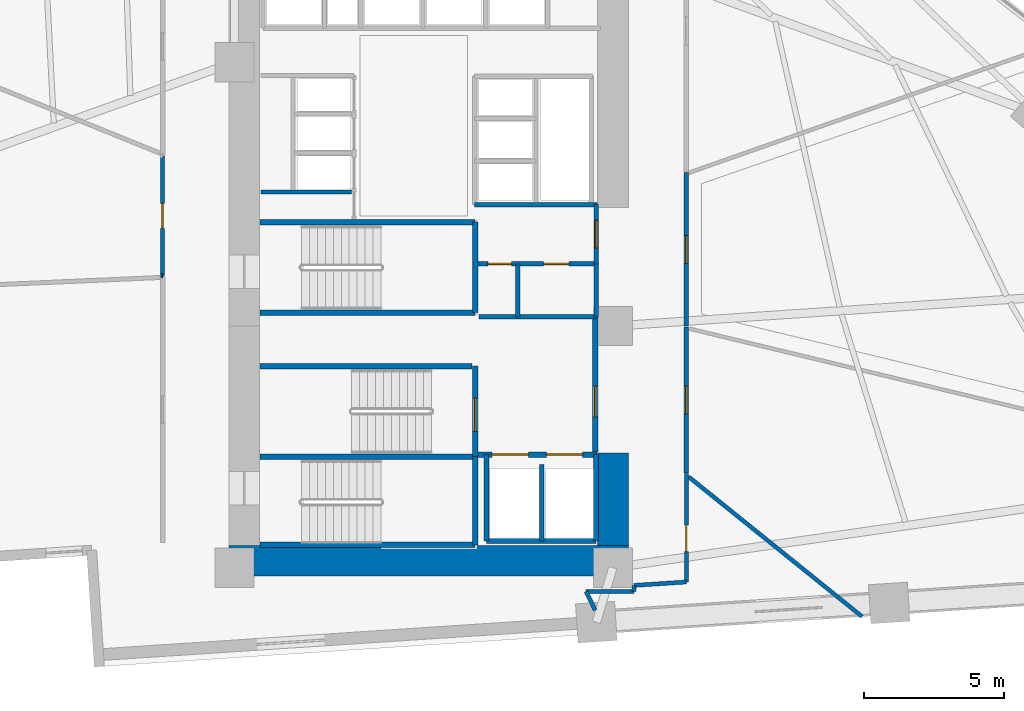
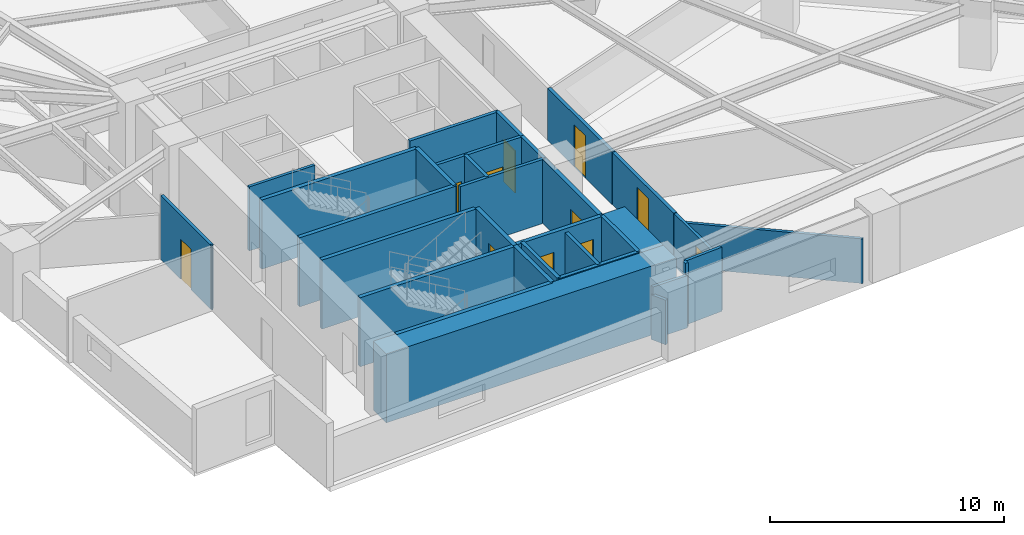
# One storey, part 12 of 16: 33 walls, 11 doors, 11 openings.
"""IFC4 building model written with IfcOpenShell, lengths in metres."""

from ifc_helpers import new_model, si_unit, direction, frame, frame_2d, origin, place, context, subcontext, project, spatial, rectangle, extrude, material, layer, layer_set, type_object, element, fill, save


model = new_model("IFC4")

# Units and contexts
model_context = context("Model", 3, precision=1e-05, world=origin(), true_north=direction((0.0, 1.0)))
body_context = subcontext(model_context, "Body", "Model", "MODEL_VIEW")
ifc_project = project(units=[si_unit("LENGTHUNIT", "METRE"), si_unit("AREAUNIT", "SQUARE_METRE"), si_unit("VOLUMEUNIT", "CUBIC_METRE"), si_unit("PLANEANGLEUNIT", "RADIAN"), si_unit("MASSUNIT", "GRAM", prefix="KILO")], contexts=[model_context])

# Site, building, storey
site_placement = place(None, origin())
site = spatial("IfcSite", under=ifc_project, at=site_placement, CompositionType="ELEMENT")
building_placement = place(site_placement, origin())
building = spatial("IfcBuilding", under=site, at=building_placement, Name="Narakoshi Arena Tower", CompositionType="ELEMENT")
storey_placement = place(building_placement, frame((0.0, 0.0, 84.89990234375)))
storey = spatial("IfcBuildingStorey", under=building, at=storey_placement, Name="L22", CompositionType="ELEMENT", Elevation=84.89990234375)

# Walls
ifc_material_1 = material(Name="Concrete C60/75", Category="concrete")
ifc_layer_1 = layer(ifc_material_1, 1.10009765625)
ifc_layer_set_1 = layer_set([ifc_layer_1], Name="Concrete C60/75")
wall_type_1 = type_object("IfcWallType", Name="WL-CORE-1100", PredefinedType="SHEAR", material=ifc_layer_set_1)
wall_1_placement = place(storey_placement, frame((71.800048828125, 34.949951171875, -0.260009765625), z_axis=(0.0, 0.0, 1.0), x_axis=(1.0, 0.0, 0.0)))
element("IfcWall", 1, at=wall_1_placement, inside=storey, type_object=wall_type_1, Name="L22 Central Core Shear Wall CW-APX-S", PredefinedType="SHEAR", context=body_context, shape_type="SweptSolid", body=[
    extrude(rectangle(XDim=14.300048828125, YDim=1.10009765625, at=frame_2d((7.14990234375, 0.0))), origin(), (0.0, 0.0, 1.0), 3.60009765625),
])
wall_2_placement = place(storey_placement, frame((85.550048828125, 35.5, -0.260009765625), z_axis=(0.0, 0.0, 1.0), x_axis=(0.0, 1.0, 0.0)))
element("IfcWall", 2, at=wall_2_placement, inside=storey, type_object=wall_type_1, Name="L22 Central Core Shear Wall CW-APX-E", PredefinedType="SHEAR", context=body_context, shape_type="SweptSolid", body=[
    extrude(rectangle(XDim=3.300048828125, YDim=1.10009765625, at=frame_2d((1.64990234375, 0.0))), origin(), (0.0, 0.0, 1.0), 3.60009765625),
])

# Wall, opening, door
ifc_material_2 = material(Name="Gypsum plasterboard fire-rated partition")
ifc_layer_2 = layer(ifc_material_2, 0.1650390625)
ifc_layer_set_2 = layer_set([ifc_layer_2], Name="Gypsum plasterboard fire-rated partition")
wall_type_2 = type_object("IfcWallType", Name="WL-CORR-165", PredefinedType="PARTITIONING", material=ifc_layer_set_2)
wall_3_placement = place(storey_placement, frame((84.949951171875, 45.580078125, 0.0), z_axis=(0.0, 0.0, 1.0), x_axis=(0.0, 1.0, 0.0)))
wall_3 = element("IfcWall", 3, at=wall_3_placement, inside=storey, type_object=wall_type_2, Name="L22 Core Wall CPAS-E", PredefinedType="PARTITIONING", context=body_context, shape_type="SweptSolid", body=[
    extrude(rectangle(XDim=2.119873046875, YDim=0.1650390625, at=frame_2d((1.06005859375, 0.0))), origin(), (0.0, 0.0, 1.0), 3.340087890625),
])
opening_1_placement = place(wall_3_placement, frame((0.56005859375, 0.0, 0.0)))
opening_1 = element("IfcOpeningElement", 4, at=opening_1_placement, cuts=wall_3, Name="Opening D-06", PredefinedType="OPENING", context=body_context, shape_type="SweptSolid", body=[
    extrude(rectangle(XDim=1.0, YDim=2.199951171875, at=frame_2d((0.5, 1.10009765625))), frame((0.0, 0.092529296875, 0.0), z_axis=(0.0, -1.0, 0.0), x_axis=(1.0, 0.0, 0.0)), (0.0, 0.0, 1.0), 0.18505859375),
])
ifc_material_3 = material(Name="Stained oak solid-core timber", Category="wood")
door_type_1 = type_object("IfcDoorType", Name="DR-OFF-1000", OperationType="NOTDEFINED", PredefinedType="DOOR", material=ifc_material_3)
door_1_placement = place(opening_1_placement, frame((1.0, 0.0, 0.0), z_axis=(0.0, 0.0, 1.0), x_axis=(-1.0, 0.0, 0.0)))
door_1 = element("IfcDoor", 5, at=door_1_placement, inside=storey, type_object=door_type_1, Name="DR-L22-007", OperationType="SINGLE_SWING_LEFT", OverallHeight=2.199951171875, OverallWidth=1.0, PredefinedType="DOOR", context=body_context, shape_type="SweptSolid", body=[
    extrude(rectangle(XDim=1.0, YDim=2.199951171875, at=frame_2d((0.5, 1.10009765625))), frame((0.0, 0.02490234375, 0.0), z_axis=(0.0, -1.0, 0.0), x_axis=(1.0, 0.0, 0.0)), (0.0, 0.0, 1.0), 0.050048828125),
])
fill(opening_1, door_1)

wall_4_placement = place(storey_placement, frame((88.177978515625, 38.100830078125, 0.0), z_axis=(0.0, 0.0, 1.0), x_axis=(0.0, 1.0, 0.0)))
wall_4 = element("IfcWall", 6, at=wall_4_placement, inside=storey, type_object=wall_type_2, Name="L22 Corridor Partition 03-1", PredefinedType="PARTITIONING", context=body_context, shape_type="SweptSolid", body=[
    extrude(rectangle(XDim=5.221923828125, YDim=0.1650390625, at=frame_2d((2.61083984375, 0.0))), origin(), (0.0, 0.0, 1.0), 2.72509765625),
])
opening_2_placement = place(wall_4_placement, frame((2.11083984375, 0.0, 0.0)))
opening_2 = element("IfcOpeningElement", 7, at=opening_2_placement, cuts=wall_4, Name="Opening D-06", PredefinedType="OPENING", context=body_context, shape_type="SweptSolid", body=[
    extrude(rectangle(XDim=1.0, YDim=2.199951171875, at=frame_2d((0.5, 1.10009765625))), frame((0.0, 0.092529296875, 0.0), z_axis=(0.0, -1.0, 0.0), x_axis=(1.0, 0.0, 0.0)), (0.0, 0.0, 1.0), 0.18505859375),
])
door_2_placement = place(opening_2_placement, frame((1.0, 0.0, 0.0), z_axis=(0.0, 0.0, 1.0), x_axis=(-1.0, 0.0, 0.0)))
door_2 = element("IfcDoor", 8, at=door_2_placement, inside=storey, type_object=door_type_1, Name="DR-L22-016", OperationType="SINGLE_SWING_RIGHT", OverallHeight=2.199951171875, OverallWidth=1.0, PredefinedType="DOOR", context=body_context, shape_type="SweptSolid", body=[
    extrude(rectangle(XDim=1.0, YDim=2.199951171875, at=frame_2d((0.5, 1.10009765625))), frame((0.0, 0.02490234375, 0.0), z_axis=(0.0, -1.0, 0.0), x_axis=(1.0, 0.0, 0.0)), (0.0, 0.0, 1.0), 0.050048828125),
])
fill(opening_2, door_2)

wall_5_placement = place(storey_placement, frame((88.177978515625, 43.347412109375, 0.0), z_axis=(0.0, 0.0, 1.0), x_axis=(0.0, 1.0, 0.0)))
wall_5 = element("IfcWall", 9, at=wall_5_placement, inside=storey, type_object=wall_type_2, Name="L22 Corridor Partition 04-1", PredefinedType="PARTITIONING", context=body_context, shape_type="SweptSolid", body=[
    extrude(rectangle(XDim=5.49658203125, YDim=0.1650390625, at=frame_2d((2.748291015625, 0.0))), origin(), (0.0, 0.0, 1.0), 2.72509765625),
])
opening_3_placement = place(wall_5_placement, frame((2.248291015625, 0.0, 0.0)))
opening_3 = element("IfcOpeningElement", 10, at=opening_3_placement, cuts=wall_5, Name="Opening D-06", PredefinedType="OPENING", context=body_context, shape_type="SweptSolid", body=[
    extrude(rectangle(XDim=1.0, YDim=2.199951171875, at=frame_2d((0.5, 1.10009765625))), frame((0.0, 0.092529296875, 0.0), z_axis=(0.0, -1.0, 0.0), x_axis=(1.0, 0.0, 0.0)), (0.0, 0.0, 1.0), 0.18505859375),
])
door_3_placement = place(opening_3_placement, frame((1.0, 0.0, 0.0), z_axis=(0.0, 0.0, 1.0), x_axis=(-1.0, 0.0, 0.0)))
door_3 = element("IfcDoor", 11, at=door_3_placement, inside=storey, type_object=door_type_1, Name="DR-L22-017", OperationType="SINGLE_SWING_LEFT", OverallHeight=2.199951171875, OverallWidth=1.0, PredefinedType="DOOR", context=body_context, shape_type="SweptSolid", body=[
    extrude(rectangle(XDim=1.0, YDim=2.199951171875, at=frame_2d((0.5, 1.10009765625))), frame((0.0, 0.02490234375, 0.0), z_axis=(0.0, -1.0, 0.0), x_axis=(1.0, 0.0, 0.0)), (0.0, 0.0, 1.0), 0.050048828125),
])
fill(opening_3, door_3)

# Walls
ifc_material_4 = material(Name="Concrete C40/50", Category="concrete")
ifc_layer_3 = layer(ifc_material_4, 0.280029296875)
ifc_layer_set_3 = layer_set([ifc_layer_3], Name="Concrete C40/50")
wall_type_3 = type_object("IfcWallType", Name="WL-RISER-280", PredefinedType="PLUMBINGWALL", material=ifc_layer_set_3)
wall_6_placement = place(storey_placement, frame((83.0, 35.64990234375, 0.0), z_axis=(0.0, 0.0, 1.0), x_axis=(0.0, 1.0, 0.0)))
element("IfcWall", 12, at=wall_6_placement, inside=storey, type_object=wall_type_3, Name="L22 Core Wall FF-DIV", PredefinedType="PLUMBINGWALL", context=body_context, shape_type="SweptSolid", body=[
    extrude(rectangle(XDim=2.75, YDim=0.159912109375, at=frame_2d((1.375, 0.0))), origin(), (0.0, 0.0, 1.0), 3.340087890625),
])
wall_7_placement = place(storey_placement, frame((84.949951171875, 43.679931640625, 0.0), z_axis=(0.0, 0.0, 1.0), x_axis=(0.0, 1.0, 0.0)))
element("IfcWall", 13, at=wall_7_placement, inside=storey, type_object=wall_type_3, Name="L22 Core Wall RSR-E", PredefinedType="PLUMBINGWALL", context=body_context, shape_type="SweptSolid", body=[
    extrude(rectangle(XDim=1.900146484375, YDim=0.1650390625, at=frame_2d((0.9501953125, 0.0))), origin(), (0.0, 0.0, 1.0), 3.340087890625),
])

# Wall, openings, doors
wall_8_placement = place(storey_placement, frame((80.719970703125, 45.580078125, 0.0), z_axis=(0.0, 0.0, 1.0), x_axis=(1.0, 0.0, 0.0)))
wall_8 = element("IfcWall", 14, at=wall_8_placement, inside=storey, type_object=wall_type_3, Name="L22 Core Wall RSR-N", PredefinedType="PLUMBINGWALL", context=body_context, shape_type="SweptSolid", body=[
    extrude(rectangle(XDim=4.22998046875, YDim=0.159912109375, at=frame_2d((2.114990234375, 0.0))), origin(), (0.0, 0.0, 1.0), 3.340087890625),
])
opening_4_placement = place(wall_8_placement, frame((0.35009765625, 0.0, 0.0)))
opening_4 = element("IfcOpeningElement", 15, at=opening_4_placement, cuts=wall_8, Name="Opening D-10", PredefinedType="OPENING", context=body_context, shape_type="SweptSolid", body=[
    extrude(rectangle(XDim=0.85009765625, YDim=2.050048828125, at=frame_2d((0.425048828125, 1.02490234375))), frame((0.0, 0.08984375, 0.0), z_axis=(0.0, -1.0, 0.0), x_axis=(1.0, 0.0, 0.0)), (0.0, 0.0, 1.0), 0.179931640625),
])
opening_5_placement = place(wall_8_placement, frame((2.35009765625, 0.0, 0.0)))
opening_5 = element("IfcOpeningElement", 16, at=opening_5_placement, cuts=wall_8, Name="Opening D-08", PredefinedType="OPENING", context=body_context, shape_type="SweptSolid", body=[
    extrude(rectangle(XDim=0.89990234375, YDim=2.10009765625, at=frame_2d((0.449951171875, 1.050048828125))), frame((0.0, 0.08984375, 0.0), z_axis=(0.0, -1.0, 0.0), x_axis=(1.0, 0.0, 0.0)), (0.0, 0.0, 1.0), 0.179931640625),
])
ifc_material_5 = material(Name="Painted galvanized steel", Category="steel")
door_type_2 = type_object("IfcDoorType", Name="DR-RSR-850", OperationType="NOTDEFINED", PredefinedType="DOOR", material=ifc_material_5)
door_4_placement = place(opening_4_placement, frame((0.85009765625, 0.0, 0.0), z_axis=(0.0, 0.0, 1.0), x_axis=(-1.0, 0.0, 0.0)))
door_4 = element("IfcDoor", 17, at=door_4_placement, inside=storey, type_object=door_type_2, Name="DR-L22-008", OperationType="SINGLE_SWING_LEFT", OverallHeight=2.050048828125, OverallWidth=0.85009765625, PredefinedType="DOOR", context=body_context, shape_type="SweptSolid", body=[
    extrude(rectangle(XDim=0.85009765625, YDim=2.050048828125, at=frame_2d((0.425048828125, 1.02490234375))), frame((0.0, 0.02490234375, 0.0), z_axis=(0.0, -1.0, 0.0), x_axis=(1.0, 0.0, 0.0)), (0.0, 0.0, 1.0), 0.050048828125),
])
fill(opening_4, door_4)
ifc_material_6 = material(Name="Moisture-resistant laminate timber", Category="wood")
door_type_3 = type_object("IfcDoorType", Name="DR-WC-900", OperationType="NOTDEFINED", PredefinedType="DOOR", material=ifc_material_6)
door_5_placement = place(opening_5_placement, frame((0.89990234375, 0.0, 0.0), z_axis=(0.0, 0.0, 1.0), x_axis=(-1.0, 0.0, 0.0)))
door_5 = element("IfcDoor", 18, at=door_5_placement, inside=storey, type_object=door_type_3, Name="DR-L22-009", OperationType="SINGLE_SWING_RIGHT", OverallHeight=2.10009765625, OverallWidth=0.89990234375, PredefinedType="DOOR", context=body_context, shape_type="SweptSolid", body=[
    extrude(rectangle(XDim=0.89990234375, YDim=2.10009765625, at=frame_2d((0.449951171875, 1.050048828125))), frame((0.0, 0.02490234375, 0.0), z_axis=(0.0, -1.0, 0.0), x_axis=(1.0, 0.0, 0.0)), (0.0, 0.0, 1.0), 0.050048828125),
])
fill(opening_5, door_5)

# Walls
wall_9_placement = place(storey_placement, frame((80.760009765625, 43.679931640625, 0.0), z_axis=(0.0, 0.0, 1.0), x_axis=(1.0, 0.0, 0.0)))
element("IfcWall", 19, at=wall_9_placement, inside=storey, type_object=wall_type_3, Name="L22 Core Wall RSR-S", PredefinedType="PLUMBINGWALL", context=body_context, shape_type="SweptSolid", body=[
    extrude(rectangle(XDim=4.18994140625, YDim=0.159912109375, at=frame_2d((2.094970703125, 0.0))), origin(), (0.0, 0.0, 1.0), 3.340087890625),
])
wall_10_placement = place(storey_placement, frame((82.14990234375, 43.679931640625, 0.0), z_axis=(0.0, 0.0, 1.0), x_axis=(0.0, 1.0, 0.0)))
element("IfcWall", 20, at=wall_10_placement, inside=storey, type_object=wall_type_3, Name="L22 Core Wall RSR-M", PredefinedType="PLUMBINGWALL", context=body_context, shape_type="SweptSolid", body=[
    extrude(rectangle(XDim=1.900146484375, YDim=0.159912109375, at=frame_2d((0.9501953125, 0.0))), origin(), (0.0, 0.0, 1.0), 3.340087890625),
])
wall_11_placement = place(storey_placement, frame((72.949951171875, 48.159912109375, 0.0), z_axis=(0.0, 0.0, 1.0), x_axis=(1.0, 0.0, 0.0)))
element("IfcWall", 21, at=wall_11_placement, inside=storey, type_object=wall_type_3, Name="L22 Core Wall LR-S0", PredefinedType="PLUMBINGWALL", context=body_context, shape_type="SweptSolid", body=[
    extrude(rectangle(XDim=3.239990234375, YDim=0.139892578125, at=frame_2d((1.6201171875, 0.0))), origin(), (0.0, 0.0, 1.0), 3.340087890625),
])
ifc_material_7 = material(Name="Concrete C50/60", Category="concrete")
ifc_layer_4 = layer(ifc_material_7, 0.35009765625)
ifc_layer_set_4 = layer_set([ifc_layer_4], Name="Concrete C50/60")
wall_type_4 = type_object("IfcWallType", Name="WL-SHAFT-350", PredefinedType="SOLIDWALL", material=ifc_layer_set_4)
for number, where, z_axis, x_axis, name in (
    (22, (72.919921875, 35.52001953125, -0.260009765625), (0.0, 0.0, 1.0), (1.0, 0.0, 0.0), "L22 Core Wall ST1-S"),
    (23, (72.919921875, 38.675048828125, -0.260009765625), (0.0, 0.0, 1.0), (1.0, 0.0, 0.0), "L22 Core Wall ST12-DIV"),
):
    element("IfcWall", number, at=place(storey_placement, frame(where, z_axis=z_axis, x_axis=x_axis)), inside=storey, type_object=wall_type_4, Name=name, PredefinedType="SOLIDWALL", context=body_context, shape_type="SweptSolid", body=[
        extrude(rectangle(XDim=7.7001953125, YDim=0.199951171875, at=frame_2d((3.85009765625, 0.0))), origin(), (0.0, 0.0, 1.0), 3.60009765625),
    ])
wall_12_placement = place(storey_placement, frame((80.6201171875, 35.52001953125, -0.260009765625), z_axis=(0.0, 0.0, 1.0), x_axis=(0.0, 1.0, 0.0)))
element("IfcWall", 24, at=wall_12_placement, inside=storey, type_object=wall_type_4, Name="L22 Core Wall ST1-E", PredefinedType="SOLIDWALL", context=body_context, shape_type="SweptSolid", body=[
    extrude(rectangle(XDim=3.155029296875, YDim=0.199951171875, at=frame_2d((1.57763671875, 0.0))), origin(), (0.0, 0.0, 1.0), 3.60009765625),
])

# Wall, opening, door
wall_13_placement = place(storey_placement, frame((80.6201171875, 38.675048828125, -0.260009765625), z_axis=(0.0, 0.0, 1.0), x_axis=(0.0, 1.0, 0.0)))
wall_13 = element("IfcWall", 25, at=wall_13_placement, inside=storey, type_object=wall_type_4, Name="L22 Core Wall ST2-E", PredefinedType="SOLIDWALL", context=body_context, shape_type="SweptSolid", body=[
    extrude(rectangle(XDim=3.244873046875, YDim=0.199951171875, at=frame_2d((1.62255859375, 0.0))), origin(), (0.0, 0.0, 1.0), 3.60009765625),
])
opening_6_placement = place(wall_13_placement, frame((0.89990234375, 0.0, 0.260009765625)))
opening_6 = element("IfcOpeningElement", 26, at=opening_6_placement, cuts=wall_13, Name="Opening D-03", PredefinedType="OPENING", context=body_context, shape_type="SweptSolid", body=[
    extrude(rectangle(XDim=1.199951171875, YDim=2.199951171875, at=frame_2d((0.60009765625, 1.10009765625))), frame((0.0, 0.10986328125, 0.0), z_axis=(0.0, -1.0, 0.0), x_axis=(1.0, 0.0, 0.0)), (0.0, 0.0, 1.0), 0.219970703125),
])
door_type_4 = type_object("IfcDoorType", Name="DR-STR-1200", OperationType="NOTDEFINED", PredefinedType="USERDEFINED", material=ifc_material_5)
door_6_placement = place(opening_6_placement, origin())
door_6 = element("IfcDoor", 27, at=door_6_placement, inside=storey, type_object=door_type_4, Name="DR-L22-002", ObjectType="EXITDOOR", OperationType="SINGLE_SWING_RIGHT", OverallHeight=2.199951171875, OverallWidth=1.199951171875, PredefinedType="USERDEFINED", context=body_context, shape_type="SweptSolid", body=[
    extrude(rectangle(XDim=1.199951171875, YDim=2.199951171875, at=frame_2d((0.60009765625, 1.10009765625))), frame((0.0, 0.02490234375, 0.0), z_axis=(0.0, -1.0, 0.0), x_axis=(1.0, 0.0, 0.0)), (0.0, 0.0, 1.0), 0.050048828125),
])
fill(opening_6, door_6)

# Wall, openings, doors
wall_14_placement = place(storey_placement, frame((80.719970703125, 38.75, 0.0), z_axis=(0.0, 0.0, 1.0), x_axis=(1.0, 0.0, 0.0)))
wall_14 = element("IfcWall", 28, at=wall_14_placement, inside=storey, type_object=wall_type_4, Name="L22 Core Wall FF-N", PredefinedType="SOLIDWALL", context=body_context, shape_type="SweptSolid", body=[
    extrude(rectangle(XDim=4.260009765625, YDim=0.199951171875, at=frame_2d((2.1298828125, 0.0))), origin(), (0.0, 0.0, 1.0), 3.340087890625),
])
opening_7_placement = place(wall_14_placement, frame((0.5, 0.0, 0.0)))
opening_7 = element("IfcOpeningElement", 29, at=opening_7_placement, cuts=wall_14, Name="Opening LD-02", PredefinedType="OPENING", context=body_context, shape_type="SweptSolid", body=[
    extrude(rectangle(XDim=1.300048828125, YDim=2.300048828125, at=frame_2d((0.64990234375, 1.14990234375))), frame((0.0, 0.10986328125, 0.0), z_axis=(0.0, -1.0, 0.0), x_axis=(1.0, 0.0, 0.0)), (0.0, 0.0, 1.0), 0.219970703125),
])
opening_8_placement = place(wall_14_placement, frame((2.449951171875, 0.0, 0.0)))
opening_8 = element("IfcOpeningElement", 30, at=opening_8_placement, cuts=wall_14, Name="Opening LD-02", PredefinedType="OPENING", context=body_context, shape_type="SweptSolid", body=[
    extrude(rectangle(XDim=1.300048828125, YDim=2.300048828125, at=frame_2d((0.64990234375, 1.14990234375))), frame((0.0, 0.10986328125, 0.0), z_axis=(0.0, -1.0, 0.0), x_axis=(1.0, 0.0, 0.0)), (0.0, 0.0, 1.0), 0.219970703125),
])
ifc_material_8 = material(Name="Brushed bronze stainless steel", Category="steel")
door_type_5 = type_object("IfcDoorType", Name="DR-LFT-1300", OperationType="DOUBLE_DOOR_SLIDING", PredefinedType="DOOR", material=ifc_material_8)
door_7_placement = place(opening_7_placement, origin())
door_7 = element("IfcDoor", 31, at=door_7_placement, inside=storey, type_object=door_type_5, Name="DR-L22-003", OperationType="DOUBLE_DOOR_SLIDING", OverallHeight=2.300048828125, OverallWidth=1.300048828125, PredefinedType="DOOR", context=body_context, shape_type="SweptSolid", body=[
    extrude(rectangle(XDim=1.300048828125, YDim=2.300048828125, at=frame_2d((0.64990234375, 1.14990234375))), frame((0.0, 0.02490234375, 0.0), z_axis=(0.0, -1.0, 0.0), x_axis=(1.0, 0.0, 0.0)), (0.0, 0.0, 1.0), 0.050048828125),
])
fill(opening_7, door_7)
door_8_placement = place(opening_8_placement, origin())
door_8 = element("IfcDoor", 32, at=door_8_placement, inside=storey, type_object=door_type_5, Name="DR-L22-004", OperationType="DOUBLE_DOOR_SLIDING", OverallHeight=2.300048828125, OverallWidth=1.300048828125, PredefinedType="DOOR", context=body_context, shape_type="SweptSolid", body=[
    extrude(rectangle(XDim=1.300048828125, YDim=2.300048828125, at=frame_2d((0.64990234375, 1.14990234375))), frame((0.0, 0.02490234375, 0.0), z_axis=(0.0, -1.0, 0.0), x_axis=(1.0, 0.0, 0.0)), (0.0, 0.0, 1.0), 0.050048828125),
])
fill(opening_8, door_8)

# Walls
for number, where, z_axis, x_axis, name in (
    (33, (84.949951171875, 35.64990234375, 0.0), (0.0, 0.0, 1.0), (0.0, 1.0, 0.0), "L22 Core Wall FF-E"),
    (34, (81.02001953125, 35.64990234375, 0.0), (0.0, 0.0, 1.0), (0.0, 1.0, 0.0), "L22 Core Wall FF-W"),
):
    element("IfcWall", number, at=place(storey_placement, frame(where, z_axis=z_axis, x_axis=x_axis)), inside=storey, type_object=wall_type_4, Name=name, PredefinedType="SOLIDWALL", context=body_context, shape_type="SweptSolid", body=[
        extrude(rectangle(XDim=3.10009765625, YDim=0.179931640625, at=frame_2d((1.550048828125, 0.0))), origin(), (0.0, 0.0, 1.0), 3.340087890625),
    ])
wall_15_placement = place(storey_placement, frame((81.02001953125, 35.64990234375, 0.0), z_axis=(0.0, 0.0, 1.0), x_axis=(1.0, 0.0, 0.0)))
element("IfcWall", 35, at=wall_15_placement, inside=storey, type_object=wall_type_4, Name="L22 Core Wall FF-S", PredefinedType="SOLIDWALL", context=body_context, shape_type="SweptSolid", body=[
    extrude(rectangle(XDim=3.929931640625, YDim=0.179931640625, at=frame_2d((1.96484375, 0.0))), origin(), (0.0, 0.0, 1.0), 3.340087890625),
])

# Wall, opening, door
wall_16_placement = place(storey_placement, frame((84.919921875, 38.85009765625, 0.0), z_axis=(0.0, 0.0, 1.0), x_axis=(0.0, 1.0, 0.0)))
wall_16 = element("IfcWall", 36, at=wall_16_placement, inside=storey, type_object=wall_type_4, Name="L22 Core Wall FFLOB-E", PredefinedType="SOLIDWALL", context=body_context, shape_type="SweptSolid", body=[
    extrude(rectangle(XDim=4.829833984375, YDim=0.199951171875, at=frame_2d((2.4150390625, 0.0))), origin(), (0.0, 0.0, 1.0), 3.340087890625),
])
opening_9_placement = place(wall_16_placement, frame((1.25, 0.0, 0.0)))
opening_9 = element("IfcOpeningElement", 37, at=opening_9_placement, cuts=wall_16, Name="Opening D-04", PredefinedType="OPENING", context=body_context, shape_type="SweptSolid", body=[
    extrude(rectangle(XDim=1.10009765625, YDim=2.199951171875, at=frame_2d((0.550048828125, 1.10009765625))), frame((0.0, 0.10986328125, 0.0), z_axis=(0.0, -1.0, 0.0), x_axis=(1.0, 0.0, 0.0)), (0.0, 0.0, 1.0), 0.219970703125),
])
door_type_6 = type_object("IfcDoorType", Name="DR-FFL-1100", OperationType="NOTDEFINED", PredefinedType="DOOR", material=ifc_material_5)
door_9_placement = place(opening_9_placement, frame((1.10009765625, 0.0, 0.0), z_axis=(0.0, 0.0, 1.0), x_axis=(-1.0, 0.0, 0.0)))
door_9 = element("IfcDoor", 38, at=door_9_placement, inside=storey, type_object=door_type_6, Name="DR-L22-005", OperationType="SINGLE_SWING_RIGHT", OverallHeight=2.199951171875, OverallWidth=1.10009765625, PredefinedType="DOOR", context=body_context, shape_type="SweptSolid", body=[
    extrude(rectangle(XDim=1.10009765625, YDim=2.199951171875, at=frame_2d((0.550048828125, 1.10009765625))), frame((0.0, 0.02490234375, 0.0), z_axis=(0.0, -1.0, 0.0), x_axis=(1.0, 0.0, 0.0)), (0.0, 0.0, 1.0), 0.050048828125),
])
fill(opening_9, door_9)

# Walls
wall_17_placement = place(storey_placement, frame((72.919921875, 41.919921875, -0.260009765625), z_axis=(0.0, 0.0, 1.0), x_axis=(1.0, 0.0, 0.0)))
element("IfcWall", 39, at=wall_17_placement, inside=storey, type_object=wall_type_4, Name="L22 Core Wall ST2-N", PredefinedType="SOLIDWALL", context=body_context, shape_type="SweptSolid", body=[
    extrude(rectangle(XDim=7.580078125, YDim=0.199951171875, at=frame_2d((3.7900390625, 0.0))), origin(), (0.0, 0.0, 1.0), 3.60009765625),
])
for number, where, z_axis, x_axis, name in (
    (40, (72.919921875, 43.830078125, -0.260009765625), (0.0, 0.0, 1.0), (1.0, 0.0, 0.0), "L22 Core Wall ST3-S"),
    (41, (72.919921875, 47.070068359375, -0.260009765625), (0.0, 0.0, 1.0), (1.0, 0.0, 0.0), "L22 Core Wall ST3-N"),
):
    element("IfcWall", number, at=place(storey_placement, frame(where, z_axis=z_axis, x_axis=x_axis)), inside=storey, type_object=wall_type_4, Name=name, PredefinedType="SOLIDWALL", context=body_context, shape_type="SweptSolid", body=[
        extrude(rectangle(XDim=7.7001953125, YDim=0.199951171875, at=frame_2d((3.85009765625, 0.0))), origin(), (0.0, 0.0, 1.0), 3.60009765625),
    ])
wall_18_placement = place(storey_placement, frame((80.6201171875, 43.830078125, -0.260009765625), z_axis=(0.0, 0.0, 1.0), x_axis=(0.0, 1.0, 0.0)))
element("IfcWall", 42, at=wall_18_placement, inside=storey, type_object=wall_type_4, Name="L22 Core Wall ST3-E", PredefinedType="SOLIDWALL", context=body_context, shape_type="SweptSolid", body=[
    extrude(rectangle(XDim=3.239990234375, YDim=0.199951171875, at=frame_2d((1.6201171875, 0.0))), origin(), (0.0, 0.0, 1.0), 3.60009765625),
])
wall_19_placement = place(storey_placement, frame((80.60009765625, 47.699951171875, 0.0), z_axis=(0.0, 0.0, 1.0), x_axis=(1.0, 0.0, 0.0)))
element("IfcWall", 43, at=wall_19_placement, inside=storey, type_object=wall_type_4, Name="L22 Core Wall MR-S", PredefinedType="SOLIDWALL", context=body_context, shape_type="SweptSolid", body=[
    extrude(rectangle(XDim=4.39990234375, YDim=0.159912109375, at=frame_2d((2.199951171875, 0.0))), origin(), (0.0, 0.0, 1.0), 3.340087890625),
])

# Wall, opening, door
ifc_material_9 = material(Name="Moisture-resistant cement-board partition")
ifc_layer_5 = layer(ifc_material_9, 0.14501953125)
ifc_layer_set_5 = layer_set([ifc_layer_5], Name="Moisture-resistant cement-board partition")
wall_type_5 = type_object("IfcWallType", Name="WL-WET-145", PredefinedType="PARTITIONING", material=ifc_layer_set_5)
wall_20_placement = place(storey_placement, frame((88.177978515625, 34.189697265625, 0.0), z_axis=(0.0, 0.0, 1.0), x_axis=(0.0, 1.0, 0.0)))
wall_20 = element("IfcWall", 44, at=wall_20_placement, inside=storey, type_object=wall_type_5, Name="L22 Corridor Partition 02-1", PredefinedType="PARTITIONING", context=body_context, shape_type="SweptSolid", body=[
    extrude(rectangle(XDim=3.88037109375, YDim=0.14501953125, at=frame_2d((1.940185546875, 0.0))), origin(), (0.0, 0.0, 1.0), 2.72509765625),
])
opening_10_placement = place(wall_20_placement, frame((1.085693359375, 0.0, 0.0)))
opening_10 = element("IfcOpeningElement", 45, at=opening_10_placement, cuts=wall_20, Name="Opening D-07", PredefinedType="OPENING", context=body_context, shape_type="SweptSolid", body=[
    extrude(rectangle(XDim=0.949951171875, YDim=2.14990234375, at=frame_2d((0.47509765625, 1.074951171875))), frame((0.0, 0.08251953125, 0.0), z_axis=(0.0, -1.0, 0.0), x_axis=(1.0, 0.0, 0.0)), (0.0, 0.0, 1.0), 0.1650390625),
])
door_type_7 = type_object("IfcDoorType", Name="DR-ACC-950", OperationType="NOTDEFINED", PredefinedType="DOOR", material=ifc_material_3)
door_10_placement = place(opening_10_placement, frame((0.949951171875, 0.0, 0.0), z_axis=(0.0, 0.0, 1.0), x_axis=(-1.0, 0.0, 0.0)))
door_10 = element("IfcDoor", 46, at=door_10_placement, inside=storey, type_object=door_type_7, Name="DR-L22-015", OperationType="SINGLE_SWING_RIGHT", OverallHeight=2.14990234375, OverallWidth=0.949951171875, PredefinedType="DOOR", context=body_context, shape_type="SweptSolid", body=[
    extrude(rectangle(XDim=0.949951171875, YDim=2.14990234375, at=frame_2d((0.47509765625, 1.074951171875))), frame((0.0, 0.02490234375, 0.0), z_axis=(0.0, -1.0, 0.0), x_axis=(1.0, 0.0, 0.0)), (0.0, 0.0, 1.0), 0.050048828125),
])
fill(opening_10, door_10)

# Walls
wall_21_placement = place(storey_placement, frame((86.300048828125, 34.066650390625, 0.0), z_axis=(0.0, 0.0, 1.0), x_axis=(0.997860280321, 0.065382420863, 0.0)))
element("IfcWall", 47, at=wall_21_placement, inside=storey, type_object=wall_type_5, Name="L22 Corridor Partition 02-2", PredefinedType="PARTITIONING", context=body_context, shape_type="SweptSolid", body=[
    extrude(rectangle(XDim=1.8818359375, YDim=0.14501953125, at=frame_2d((0.94091796875, 0.0))), origin(), (0.0, 0.0, 1.0), 3.340087890625),
])
wall_22_placement = place(storey_placement, frame((88.2626953125, 37.955810546875, 0.0), z_axis=(0.0, 0.0, 1.0), x_axis=(0.778606895109, -0.627511994219, 0.0)))
element("IfcWall", 48, at=wall_22_placement, inside=storey, type_object=wall_type_5, Name="L22 Inter-Room Partition 02-03", PredefinedType="PARTITIONING", context=body_context, shape_type="SweptSolid", body=[
    extrude(rectangle(XDim=7.978759765625, YDim=0.14501953125, at=frame_2d((3.9892578125, 0.0))), origin(), (0.0, 0.0, 1.0), 2.3251953125),
])

# Wall, opening, door
wall_23_placement = place(storey_placement, frame((69.427490234375, 49.438720703125, 0.0), z_axis=(0.0, 0.0, 1.0), x_axis=(0.0, -1.0, 0.0)))
wall_23 = element("IfcWall", 49, at=wall_23_placement, inside=storey, type_object=wall_type_5, Name="L22 Corridor Partition 09-1", PredefinedType="PARTITIONING", context=body_context, shape_type="SweptSolid", body=[
    extrude(rectangle(XDim=4.28271484375, YDim=0.14501953125, at=frame_2d((2.141357421875, 0.0))), origin(), (0.0, 0.0, 1.0), 3.340087890625),
])
opening_11_placement = place(wall_23_placement, frame((1.69140625, 0.0, 0.0)))
opening_11 = element("IfcOpeningElement", 50, at=opening_11_placement, cuts=wall_23, Name="Opening D-08", PredefinedType="OPENING", context=body_context, shape_type="SweptSolid", body=[
    extrude(rectangle(XDim=0.89990234375, YDim=2.10009765625, at=frame_2d((0.449951171875, 1.050048828125))), frame((0.0, 0.08251953125, 0.0), z_axis=(0.0, -1.0, 0.0), x_axis=(1.0, 0.0, 0.0)), (0.0, 0.0, 1.0), 0.1650390625),
])
door_11_placement = place(opening_11_placement, frame((0.89990234375, 0.0, 0.0), z_axis=(0.0, 0.0, 1.0), x_axis=(-1.0, 0.0, 0.0)))
door_11 = element("IfcDoor", 51, at=door_11_placement, inside=storey, type_object=door_type_3, Name="DR-L22-022", OperationType="SINGLE_SWING_RIGHT", OverallHeight=2.10009765625, OverallWidth=0.89990234375, PredefinedType="DOOR", context=body_context, shape_type="SweptSolid", body=[
    extrude(rectangle(XDim=0.89990234375, YDim=2.10009765625, at=frame_2d((0.449951171875, 1.050048828125))), frame((0.0, 0.02490234375, 0.0), z_axis=(0.0, -1.0, 0.0), x_axis=(1.0, 0.0, 0.0)), (0.0, 0.0, 1.0), 0.050048828125),
])
fill(opening_11, door_11)

# Walls
wall_24_placement = place(storey_placement, frame((69.427490234375, 45.156005859375, 0.0), z_axis=(0.0, 0.0, 1.0), x_axis=(-0.998606592857, -0.052771893118, 0.0)))
element("IfcWall", 52, at=wall_24_placement, inside=storey, type_object=wall_type_5, Name="L22 Corridor Partition 09-3", PredefinedType="PARTITIONING", context=body_context, shape_type="SweptSolid", body=[
    extrude(rectangle(XDim=0.06005859375, YDim=0.14501953125, at=frame_2d((0.030029296875, 0.0))), origin(), (0.0, 0.0, 1.0), 3.340087890625),
])
wall_25_placement = place(storey_placement, frame((84.5869140625, 33.85009765625, 0.0), z_axis=(0.0, 0.0, 1.0), x_axis=(1.0, 0.0, 0.0)))
element("IfcWall", 53, at=wall_25_placement, inside=storey, type_object=wall_type_5, Name="L22 Room Enclosure Partition 02-1", PredefinedType="PARTITIONING", context=body_context, shape_type="SweptSolid", body=[
    extrude(rectangle(XDim=1.713134765625, YDim=0.14501953125, at=frame_2d((0.8564453125, 0.0))), origin(), (0.0, 0.0, 1.0), 2.72509765625),
])
wall_26_placement = place(storey_placement, frame((86.300048828125, 33.85009765625, 0.0), z_axis=(0.0, 0.0, 1.0), x_axis=(0.0, 1.0, 0.0)))
element("IfcWall", 54, at=wall_26_placement, inside=storey, type_object=wall_type_5, Name="L22 Room Enclosure Partition 02-2", PredefinedType="PARTITIONING", context=body_context, shape_type="SweptSolid", body=[
    extrude(rectangle(XDim=0.216552734375, YDim=0.14501953125, at=frame_2d((0.1083984375, 0.0))), origin(), (0.0, 0.0, 1.0), 3.340087890625),
])
wall_27_placement = place(storey_placement, frame((84.91650390625, 33.17919921875, 0.0), z_axis=(0.0, 0.0, 1.0), x_axis=(-0.440931576608, 0.897540720385, 0.0)))
element("IfcWall", 55, at=wall_27_placement, inside=storey, type_object=wall_type_5, Name="L22 Room Enclosure Partition 02-3", PredefinedType="PARTITIONING", context=body_context, shape_type="SweptSolid", body=[
    extrude(rectangle(XDim=0.74755859375, YDim=0.14501953125, at=frame_2d((0.373779296875, 0.0))), origin(), (0.0, 0.0, 1.0), 2.3251953125),
])

save(model, "model.ifc")
